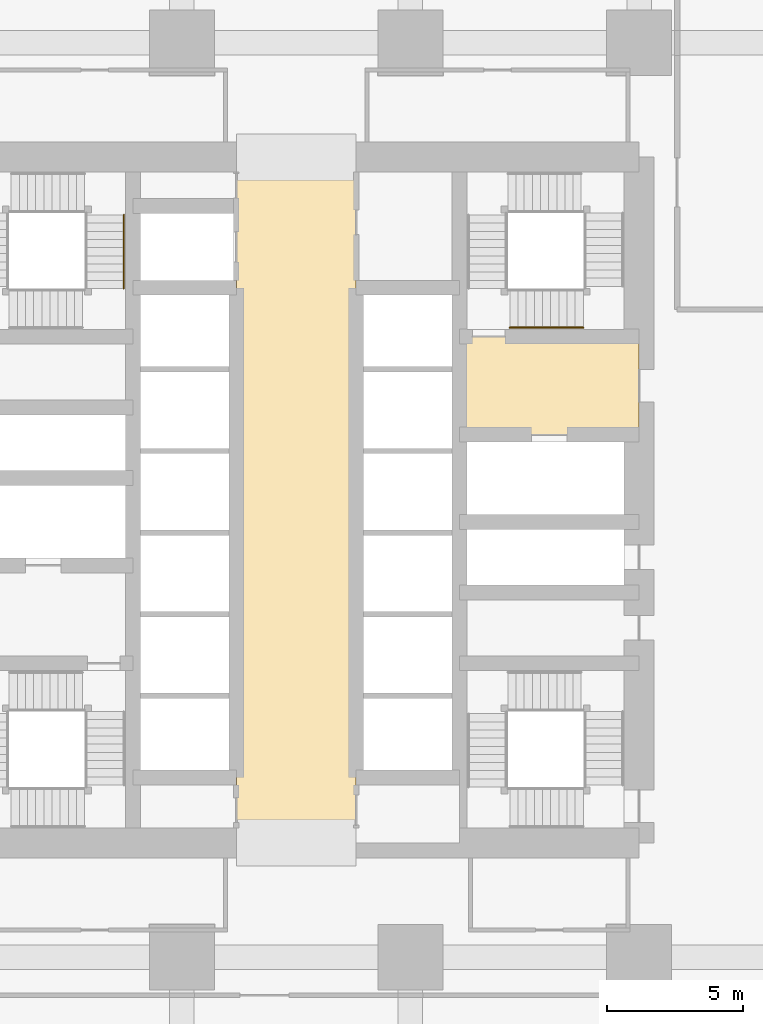
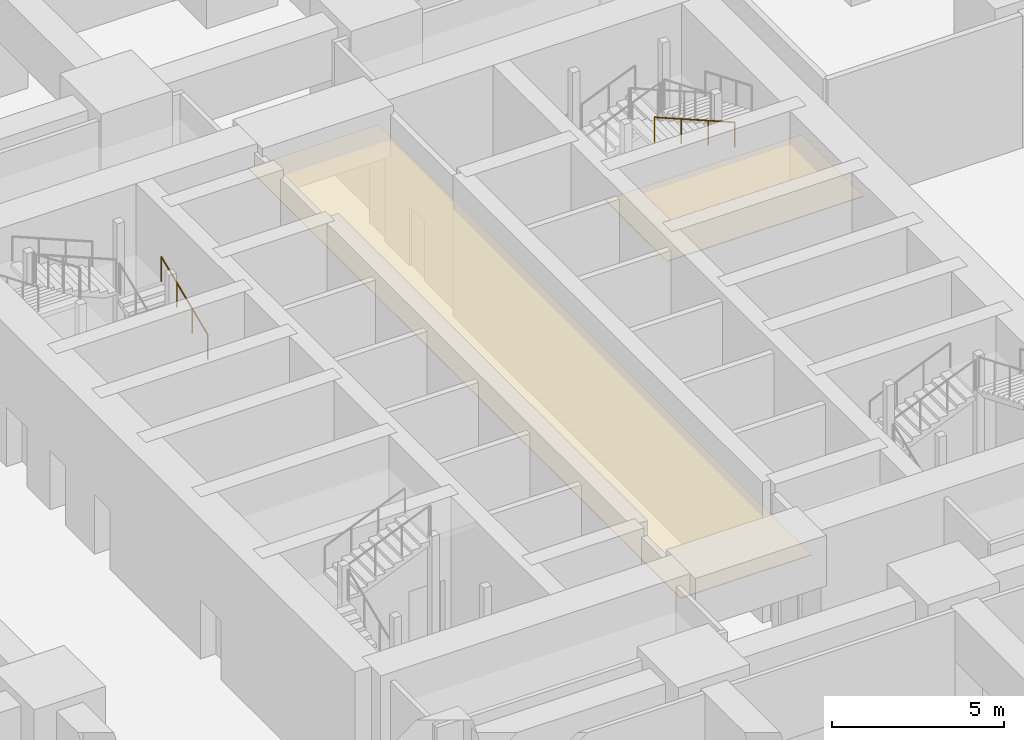
# One storey, part 46 of 48: 2 coverings, 2 railings.
"""IFC4 building model written with IfcOpenShell, lengths in metres."""

from ifc_helpers import new_model, si_unit, direction, frame, origin, origin_2d, place, context, subcontext, project, spatial, polyline, circle, outline, extrude, material, layer, layer_set, type_object, element, save


model = new_model("IFC4")

# Units and contexts
model_context = context("Model", 3, precision=1e-05, world=origin(), true_north=direction((0.0, 1.0)))
body_context = subcontext(model_context, "Body", "Model", "MODEL_VIEW")
ifc_project = project(units=[si_unit("LENGTHUNIT", "METRE"), si_unit("AREAUNIT", "SQUARE_METRE"), si_unit("VOLUMEUNIT", "CUBIC_METRE"), si_unit("PLANEANGLEUNIT", "RADIAN"), si_unit("MASSUNIT", "GRAM", prefix="KILO")], contexts=[model_context])

# Site, building, storey
site_placement = place(None, origin())
site = spatial("IfcSite", under=ifc_project, at=site_placement, CompositionType="ELEMENT")
building_placement = place(site_placement, origin())
building = spatial("IfcBuilding", under=site, at=building_placement, Name="Rekha Terrace Tower", CompositionType="ELEMENT")
storey_placement = place(building_placement, frame((0.0, 0.0, 15.39990234375)))
storey = spatial("IfcBuildingStorey", under=building, at=storey_placement, Name="L03", CompositionType="ELEMENT", Elevation=15.39990234375)

# Coverings
ifc_material_1 = material(Name="Powder-coated aluminium pan", Category="aluminium")
ifc_layer = layer(ifc_material_1, 0.030029296875)
ifc_layer_set = layer_set([ifc_layer], Name="Powder-coated aluminium pan")
covering_type = type_object("IfcCoveringType", Name="CL3 300x1200 metal pan ceiling", PredefinedType="CEILING", material=ifc_layer_set)
covering_1_placement = place(storey_placement, frame((0.0, 0.0, 3.77001953125)))
element("IfcCovering", 1, at=covering_1_placement, inside=storey, type_object=covering_type, Name="Ceiling L03-LOBBY", PredefinedType="CEILING", context=body_context, shape_type="SweptSolid", body=[
    extrude(outline(polyline([(40.0, 46.199951171875), (35.60009765625, 46.199951171875), (35.60009765625, 21.0), (40.0, 21.0), (40.0, 46.199951171875)])), origin(), (0.0, 0.0, 1.0), 0.030029296875),
])
covering_2_placement = place(storey_placement, frame((0.0, 0.0, 3.77001953125)))
element("IfcCovering", 2, at=covering_2_placement, inside=storey, type_object=covering_type, Name="Ceiling L03-FLB2", PredefinedType="CEILING", context=body_context, shape_type="SweptSolid", body=[
    extrude(outline(polyline([(50.39990234375, 39.60009765625), (43.800048828125, 39.60009765625), (43.800048828125, 36.0), (50.39990234375, 36.0), (50.39990234375, 39.60009765625)])), origin(), (0.0, 0.0, 1.0), 0.030029296875),
])

# Railings
ifc_material_2 = material(Name="Stainless steel tube", Category="steel")
railing_type = type_object("IfcRailingType", Name="HR1 900 stair handrail", PredefinedType="HANDRAIL", material=ifc_material_2)
railing_1_placement = place(storey_placement, frame((48.35009765625, 39.93505859375, 3.875)))
element("IfcRailing", 3, at=railing_1_placement, inside=storey, type_object=railing_type, Name="Handrail ST2 L03 flight 4", PredefinedType="HANDRAIL", context=body_context, shape_type="SweptSolid", body=[
    extrude(circle(Radius=0.02392578125, at=origin_2d()), frame((0.0, 0.0, 0.8759765625), z_axis=(-0.923086799901, 0.0, 0.38459167938), x_axis=(0.0, -1.0, 0.0)), (0.0, 0.0, 1.0), 2.92529296875),
    extrude(circle(Radius=0.02099609375, at=origin_2d()), origin(), (0.0, 0.0, 1.0), 0.851806640625),
    extrude(circle(Radius=0.02099609375, at=origin_2d()), frame((-0.900146484375, 0.0, 0.375)), (0.0, 0.0, 1.0), 0.851806640625),
    extrude(circle(Radius=0.02099609375, at=origin_2d()), frame((-1.800048828125, 0.0, 0.75)), (0.0, 0.0, 1.0), 0.851806640625),
    extrude(circle(Radius=0.02099609375, at=origin_2d()), frame((-2.7001953125, 0.0, 1.125)), (0.0, 0.0, 1.0), 0.851806640625),
])
railing_2_placement = place(storey_placement, frame((31.465087890625, 41.375, 1.375)))
element("IfcRailing", 4, at=railing_2_placement, inside=storey, type_object=railing_type, Name="Handrail ST4 L03 flight 2", PredefinedType="HANDRAIL", context=body_context, shape_type="SweptSolid", body=[
    extrude(circle(Radius=0.02392578125, at=origin_2d()), frame((0.0, 0.0, 0.8759765625), z_axis=(0.0, 0.923074453586, 0.384621311341), x_axis=(-1.0, 0.0, 0.0)), (0.0, 0.0, 1.0), 2.925048828125),
    extrude(circle(Radius=0.02099609375, at=origin_2d()), origin(), (0.0, 0.0, 1.0), 0.851806640625),
    extrude(circle(Radius=0.02099609375, at=origin_2d()), frame((0.0, 0.89990234375, 0.375)), (0.0, 0.0, 1.0), 0.851806640625),
    extrude(circle(Radius=0.02099609375, at=origin_2d()), frame((0.0, 1.800048828125, 0.75)), (0.0, 0.0, 1.0), 0.851806640625),
    extrude(circle(Radius=0.02099609375, at=origin_2d()), frame((0.0, 2.699951171875, 1.125)), (0.0, 0.0, 1.0), 0.851806640625),
])

save(model, "model.ifc")
